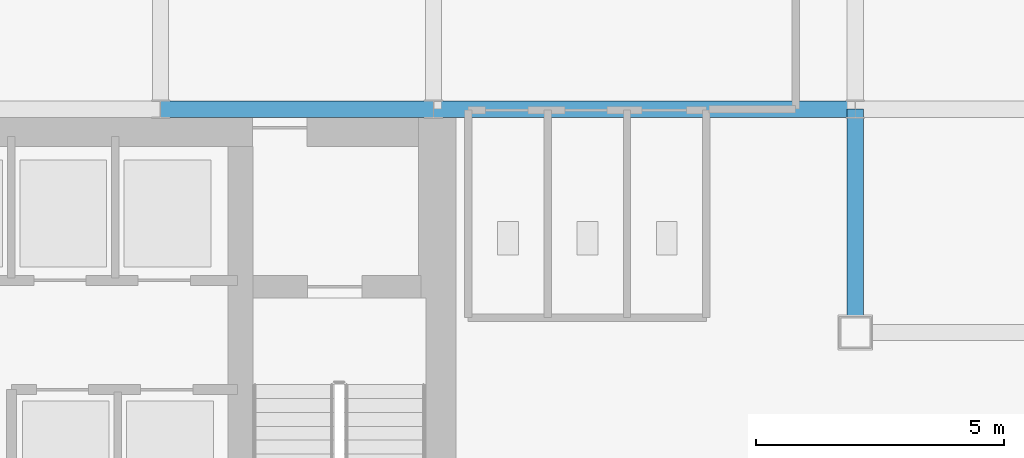
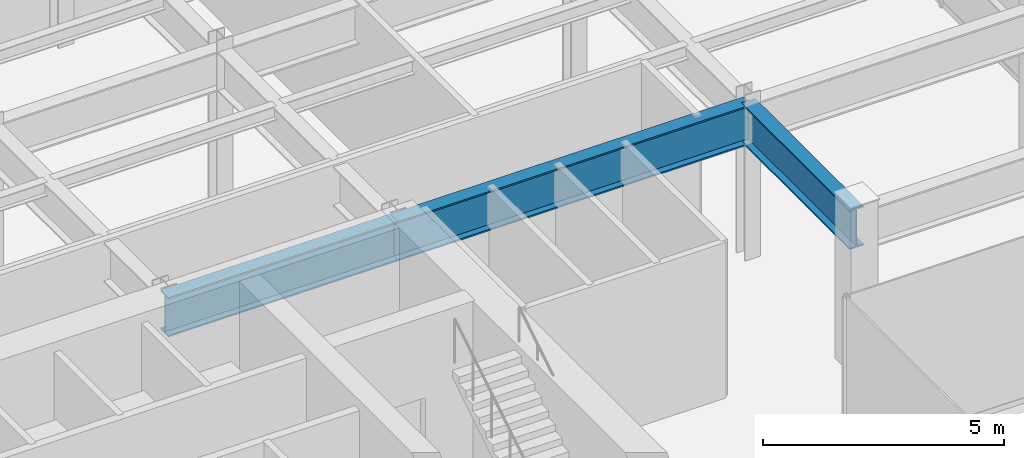
# One storey, part 5 of 26: 3 beams.
"""IFC4 building model written with IfcOpenShell, lengths in metres."""

from ifc_helpers import new_model, si_unit, derived_unit, direction, frame, origin, origin_2d, place, context, subcontext, project, spatial, i_section, extrude, source, transform, mapped, material, material_profile, profile_set, type_object, element, save


model = new_model("IFC4")

# Units and contexts
model_context = context("Model", 3, precision=1e-05, world=origin(), true_north=direction((0.0, 1.0)))
body_context = subcontext(model_context, "Body", "Model", "MODEL_VIEW")
ifc_project = project(units=[si_unit("LENGTHUNIT", "METRE"), si_unit("AREAUNIT", "SQUARE_METRE"), si_unit("VOLUMEUNIT", "CUBIC_METRE"), si_unit("PLANEANGLEUNIT", "RADIAN"), si_unit("MASSUNIT", "GRAM", prefix="KILO"), derived_unit("THERMALTRANSMITTANCEUNIT", [(si_unit("POWERUNIT", "WATT"), 1), (si_unit("LENGTHUNIT", "METRE"), -2), (si_unit("THERMODYNAMICTEMPERATUREUNIT", "KELVIN"), -1)])], contexts=[model_context])

# Site, building, storey
site_placement = place(None, origin())
site = spatial("IfcSite", under=ifc_project, at=site_placement, CompositionType="ELEMENT")
building_placement = place(site_placement, origin())
building = spatial("IfcBuilding", under=site, at=building_placement, Name="Skarnbrae Concourse Arena and Tower", CompositionType="ELEMENT")
storey_placement = place(building_placement, frame((0.0, 0.0, 184.39990234375)))
storey = spatial("IfcBuildingStorey", under=building, at=storey_placement, Name="L47", CompositionType="ELEMENT", Elevation=184.39990234375)

# Beams
ifc_material = material(Name="Steel CSA G40.21 350W", Category="steel")
ifc_material_profile = material_profile(ifc_material, i_section(OverallWidth=0.327880859375, OverallDepth=1.0, WebThickness=0.02099609375, FlangeThickness=0.03759765625, at=origin_2d()), Name="W1000X371")
ifc_profile_set = profile_set([ifc_material_profile], Name="Steel CSA G40.21 350W")
beam_type = type_object("IfcBeamType", Name="BM-XFER-W1000X371", PredefinedType="BEAM", material=ifc_profile_set)
shared_shape_1 = source(origin(), body_context, "Body", "SweptSolid", [
    extrude(i_section(OverallWidth=0.327880859375, OverallDepth=1.0, WebThickness=0.02099609375, FlangeThickness=0.03759765625, at=origin_2d()), origin(), (0.0, 0.0, 1.0), 5.5),
])
beam_1_placement = place(storey_placement, frame((28.0, 14.0, 3.400146484375), z_axis=(1.0, 0.0, 0.0), x_axis=(0.0, 1.0, 0.0)))
element("IfcBeam", 1, at=beam_1_placement, inside=storey, type_object=beam_type, Name="L47 Primary E-W girder Y14.0-5", PredefinedType="BEAM", context=body_context, shape_type="MappedRepresentation", body=[
    mapped(shared_shape_1, transform((0.0, 0.0, 0.0))),
])
shared_shape_2 = source(origin(), body_context, "Body", "SweptSolid", [
    extrude(i_section(OverallWidth=0.327880859375, OverallDepth=1.0, WebThickness=0.02099609375, FlangeThickness=0.03759765625, at=origin_2d()), origin(), (0.0, 0.0, 1.0), 8.5),
])
beam_2_placement = place(storey_placement, frame((33.5, 14.0, 3.400146484375), z_axis=(1.0, 0.0, 0.0), x_axis=(0.0, 1.0, 0.0)))
element("IfcBeam", 2, at=beam_2_placement, inside=storey, type_object=beam_type, Name="L47 Primary E-W girder Y14.0-6", PredefinedType="BEAM", context=body_context, shape_type="MappedRepresentation", body=[
    mapped(shared_shape_2, transform((0.0, 0.0, 0.0))),
])
shared_shape_3 = source(origin(), body_context, "Body", "SweptSolid", [
    extrude(i_section(OverallWidth=0.327880859375, OverallDepth=1.0, WebThickness=0.02099609375, FlangeThickness=0.03759765625, at=origin_2d()), origin(), (0.0, 0.0, 1.0), 4.5),
])
beam_3_placement = place(storey_placement, frame((42.0, 9.5, 3.400146484375), z_axis=(0.0, 1.0, 0.0), x_axis=(-1.0, 0.0, 0.0)))
element("IfcBeam", 3, at=beam_3_placement, inside=storey, type_object=beam_type, Name="L47 Primary N-S girder X42.0-1", PredefinedType="BEAM", context=body_context, shape_type="MappedRepresentation", body=[
    mapped(shared_shape_3, transform((0.0, 0.0, 0.0))),
])

save(model, "model.ifc")
